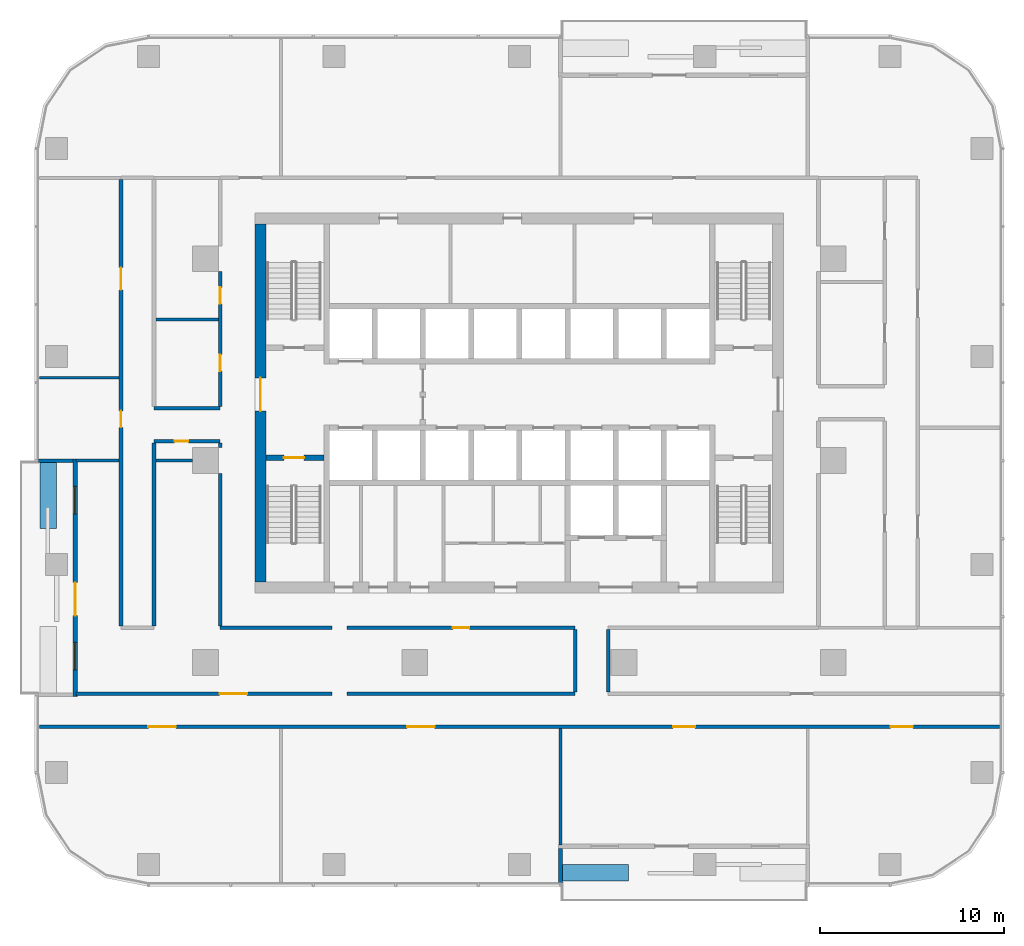
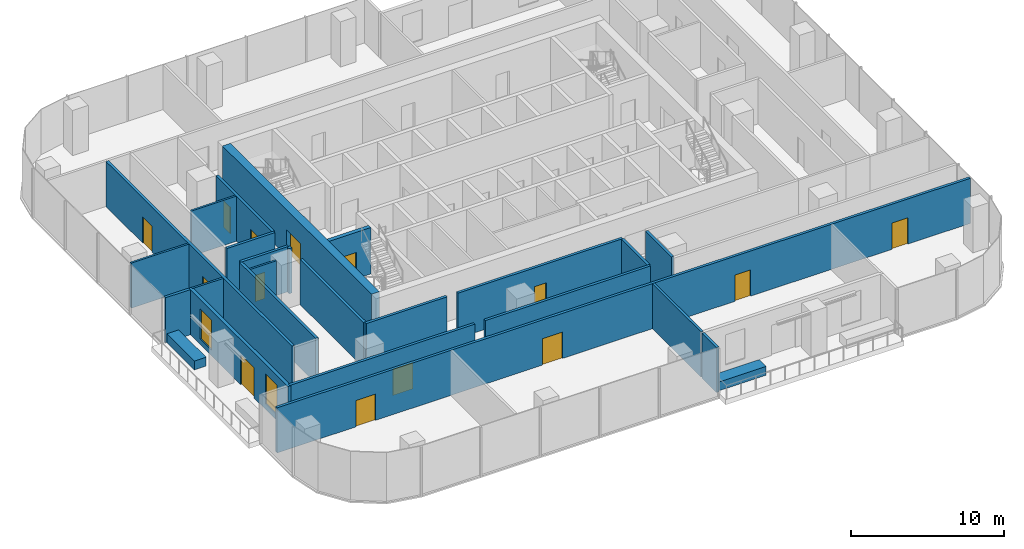
# One storey, part 7 of 14: 26 walls, 14 doors, 2 windows, 16 openings.
"""IFC4 building model written with IfcOpenShell, lengths in metres."""

from ifc_helpers import new_model, si_unit, direction, frame, frame_2d, origin, place, context, subcontext, project, spatial, rectangle, extrude, material, layer, layer_set, type_object, element, fill, save


model = new_model("IFC4")

# Units and contexts
model_context = context("Model", 3, precision=1e-05, world=origin(), true_north=direction((0.0, 1.0)))
body_context = subcontext(model_context, "Body", "Model", "MODEL_VIEW")
ifc_project = project(units=[si_unit("LENGTHUNIT", "METRE"), si_unit("AREAUNIT", "SQUARE_METRE"), si_unit("VOLUMEUNIT", "CUBIC_METRE"), si_unit("PLANEANGLEUNIT", "RADIAN"), si_unit("MASSUNIT", "GRAM", prefix="KILO")], contexts=[model_context])

# Site, building, storey
site_placement = place(None, origin())
site = spatial("IfcSite", under=ifc_project, at=site_placement, CompositionType="ELEMENT")
building_placement = place(site_placement, origin())
building = spatial("IfcBuilding", under=site, at=building_placement, Name="Mopane Tessera Tower", CompositionType="ELEMENT")
storey_placement = place(building_placement, frame((0.0, 0.0, 197.0)))
storey = spatial("IfcBuildingStorey", under=building, at=storey_placement, Name="L41", CompositionType="ELEMENT", Elevation=197.0)

# Wall, opening, door
ifc_material_1 = material(Name="Concrete C70/85", Category="concrete")
ifc_layer_1 = layer(ifc_material_1, 0.60009765625)
ifc_layer_set_1 = layer_set([ifc_layer_1], Name="Concrete C70/85")
wall_type_1 = type_object("IfcWallType", Name="Core shear wall 600 mm", PredefinedType="SHEAR", material=ifc_layer_set_1)
wall_1_placement = place(storey_placement, frame((-14.10009765625, -6.60009765625, 0.0), z_axis=(0.0, 0.0, 1.0), x_axis=(0.0, 1.0, 0.0)))
wall_1 = element("IfcWall", 1, at=wall_1_placement, inside=storey, type_object=wall_type_1, Name="L41 Core wall west", PredefinedType="SHEAR", context=body_context, shape_type="SweptSolid", body=[
    extrude(rectangle(XDim=19.5, YDim=0.60009765625, at=frame_2d((9.75, 0.0))), origin(), (0.0, 0.0, 1.0), 3.699951171875),
])
opening_1_placement = place(wall_1_placement, frame((9.300048828125, 0.0, 0.0)))
opening_1 = element("IfcOpeningElement", 2, at=opening_1_placement, cuts=wall_1, Name="Opening SD2", PredefinedType="OPENING", context=body_context, shape_type="SweptSolid", body=[
    extrude(rectangle(XDim=1.800048828125, YDim=2.10009765625, at=frame_2d((0.89990234375, 1.050048828125))), frame((0.0, 0.31201171875, 0.0), z_axis=(0.0, -1.0, 0.0), x_axis=(1.0, 0.0, 0.0)), (0.0, 0.0, 1.0), 0.6240234375),
])
ifc_material_2 = material(Name="Steel fire door", Category="steel")
door_type_1 = type_object("IfcDoorType", Name="Core entrance double door 1800 x 2100", OperationType="DOUBLE_DOOR_SINGLE_SWING", PredefinedType="DOOR", material=ifc_material_2)
door_1_placement = place(opening_1_placement, origin())
door_1 = element("IfcDoor", 3, at=door_1_placement, inside=storey, type_object=door_type_1, Name="L41 Core entrance door west", OperationType="DOUBLE_DOOR_SINGLE_SWING", OverallHeight=2.10009765625, OverallWidth=1.800048828125, PredefinedType="DOOR", context=body_context, shape_type="SweptSolid", body=[
    extrude(rectangle(XDim=1.800048828125, YDim=2.10009765625, at=frame_2d((0.89990234375, 1.050048828125))), frame((0.0, 0.02490234375, 0.0), z_axis=(0.0, -1.0, 0.0), x_axis=(1.0, 0.0, 0.0)), (0.0, 0.0, 1.0), 0.050048828125),
])
fill(opening_1, door_1)

# Wall
ifc_material_3 = material(Name="Gypsum board on staggered steel studs, double layer each face, acoustic mineral wool infill", Category="steel")
ifc_layer_2 = layer(ifc_material_3, 0.175048828125)
ifc_layer_set_2 = layer_set([ifc_layer_2], Name="Gypsum board on staggered steel studs, double layer each face, acoustic mineral wool infill")
wall_type_2 = type_object("IfcWallType", Name="Gypsum board acoustic partition 175, rated EI 60", PredefinedType="PARTITIONING", material=ifc_layer_set_2)
wall_2_placement = place(storey_placement, frame((2.2451171875, -20.949951171875, 0.0), z_axis=(0.0, 0.0, 1.0), x_axis=(0.0, 1.0, 0.0)))
element("IfcWall", 4, at=wall_2_placement, inside=storey, type_object=wall_type_2, Name="Partition L41:037", PredefinedType="PARTITIONING", context=body_context, shape_type="SweptSolid", body=[
    extrude(rectangle(XDim=6.349853515625, YDim=0.175048828125, at=frame_2d((3.1748046875, 0.0))), origin(), (0.0, 0.0, 1.0), 3.60009765625),
])

# Wall, openings, doors
ifc_material_4 = material(Name="Gypsum board on steel studs, two layers each face, mineral wool infill", Category="steel")
ifc_layer_3 = layer(ifc_material_4, 0.199951171875)
ifc_layer_set_3 = layer_set([ifc_layer_3], Name="Gypsum board on steel studs, two layers each face, mineral wool infill")
wall_type_3 = type_object("IfcWallType", Name="Gypsum board corridor wall 200, rated EI 60", PredefinedType="PARTITIONING", material=ifc_layer_set_3)
wall_3_placement = place(storey_placement, frame((-26.14990234375, -14.5, 0.0), z_axis=(0.0, 0.0, 1.0), x_axis=(1.0, 0.0, 0.0)))
wall_3 = element("IfcWall", 5, at=wall_3_placement, inside=storey, type_object=wall_type_3, Name="Partition L41:000", PredefinedType="PARTITIONING", context=body_context, shape_type="SweptSolid", body=[
    extrude(rectangle(XDim=52.2998046875, YDim=0.199951171875, at=frame_2d((26.14990234375, 0.0))), origin(), (0.0, 0.0, 1.0), 3.60009765625),
])
opening_2_placement = place(wall_3_placement, frame((46.3798828125, 0.0, 0.0)))
opening_2 = element("IfcOpeningElement", 6, at=opening_2_placement, cuts=wall_3, Name="Opening L41-04", PredefinedType="OPENING", context=body_context, shape_type="SweptSolid", body=[
    extrude(rectangle(XDim=1.199951171875, YDim=2.10009765625, at=frame_2d((0.60009765625, 1.050048828125))), frame((0.0, 0.112060546875, 0.0), z_axis=(0.0, -1.0, 0.0), x_axis=(1.0, 0.0, 0.0)), (0.0, 0.0, 1.0), 0.223876953125),
])
opening_3_placement = place(wall_3_placement, frame((5.9375, 0.0, 0.0)))
opening_3 = element("IfcOpeningElement", 7, at=opening_3_placement, cuts=wall_3, Name="Opening L41-12", PredefinedType="OPENING", context=body_context, shape_type="SweptSolid", body=[
    extrude(rectangle(XDim=1.5, YDim=2.10009765625, at=frame_2d((0.75, 1.050048828125))), frame((0.0, 0.112060546875, 0.0), z_axis=(0.0, -1.0, 0.0), x_axis=(1.0, 0.0, 0.0)), (0.0, 0.0, 1.0), 0.223876953125),
])
opening_4_placement = place(wall_3_placement, frame((20.034912109375, 0.0, 0.0)))
opening_4 = element("IfcOpeningElement", 8, at=opening_4_placement, cuts=wall_3, Name="Opening L41-16", PredefinedType="OPENING", context=body_context, shape_type="SweptSolid", body=[
    extrude(rectangle(XDim=1.5, YDim=2.10009765625, at=frame_2d((0.75, 1.050048828125))), frame((0.0, 0.112060546875, 0.0), z_axis=(0.0, -1.0, 0.0), x_axis=(1.0, 0.0, 0.0)), (0.0, 0.0, 1.0), 0.223876953125),
])
opening_5_placement = place(wall_3_placement, frame((34.527587890625, 0.0, 0.0)))
opening_5 = element("IfcOpeningElement", 9, at=opening_5_placement, cuts=wall_3, Name="Opening L41-19", PredefinedType="OPENING", context=body_context, shape_type="SweptSolid", body=[
    extrude(rectangle(XDim=1.199951171875, YDim=2.10009765625, at=frame_2d((0.60009765625, 1.050048828125))), frame((0.0, 0.112060546875, 0.0), z_axis=(0.0, -1.0, 0.0), x_axis=(1.0, 0.0, 0.0)), (0.0, 0.0, 1.0), 0.223876953125),
])
ifc_material_5 = material(Name="Timber veneered steel-framed fire door", Category="steel")
door_type_2 = type_object("IfcDoorType", Name="Fire door FD60 1200 x 2100", OperationType="SINGLE_SWING_LEFT", PredefinedType="DOOR", material=ifc_material_5)
door_2_placement = place(opening_2_placement, origin())
door_2 = element("IfcDoor", 10, at=door_2_placement, inside=storey, type_object=door_type_2, Name="Door L41-04", ObjectType="D15A", OperationType="SINGLE_SWING_RIGHT", OverallHeight=2.10009765625, OverallWidth=1.199951171875, PredefinedType="DOOR", context=body_context, shape_type="SweptSolid", body=[
    extrude(rectangle(XDim=1.199951171875, YDim=2.10009765625, at=frame_2d((0.60009765625, 1.050048828125))), frame((0.0, 0.02490234375, 0.0), z_axis=(0.0, -1.0, 0.0), x_axis=(1.0, 0.0, 0.0)), (0.0, 0.0, 1.0), 0.050048828125),
])
fill(opening_2, door_2)
door_3_placement = place(opening_5_placement, origin())
door_3 = element("IfcDoor", 11, at=door_3_placement, inside=storey, type_object=door_type_2, Name="Door L41-19", ObjectType="D15A", OperationType="SINGLE_SWING_LEFT", OverallHeight=2.10009765625, OverallWidth=1.199951171875, PredefinedType="DOOR", context=body_context, shape_type="SweptSolid", body=[
    extrude(rectangle(XDim=1.199951171875, YDim=2.10009765625, at=frame_2d((0.60009765625, 1.050048828125))), frame((0.0, 0.02490234375, 0.0), z_axis=(0.0, -1.0, 0.0), x_axis=(1.0, 0.0, 0.0)), (0.0, 0.0, 1.0), 0.050048828125),
])
fill(opening_5, door_3)
ifc_material_6 = material(Name="Timber veneered steel-framed fire door", Category="steel")
door_type_3 = type_object("IfcDoorType", Name="Fire door pair FD60 1500 x 2100", OperationType="DOUBLE_DOOR_SINGLE_SWING", PredefinedType="DOOR", material=ifc_material_6)
door_4_placement = place(opening_3_placement, origin())
door_4 = element("IfcDoor", 12, at=door_4_placement, inside=storey, type_object=door_type_3, Name="Door L41-12", ObjectType="D17A", OperationType="DOUBLE_DOOR_SINGLE_SWING", OverallHeight=2.10009765625, OverallWidth=1.5, PredefinedType="DOOR", context=body_context, shape_type="SweptSolid", body=[
    extrude(rectangle(XDim=1.5, YDim=2.10009765625, at=frame_2d((0.75, 1.050048828125))), frame((0.0, 0.02490234375, 0.0), z_axis=(0.0, -1.0, 0.0), x_axis=(1.0, 0.0, 0.0)), (0.0, 0.0, 1.0), 0.050048828125),
])
fill(opening_3, door_4)
door_5_placement = place(opening_4_placement, origin())
door_5 = element("IfcDoor", 13, at=door_5_placement, inside=storey, type_object=door_type_3, Name="Door L41-16", ObjectType="D17A", OperationType="DOUBLE_DOOR_SINGLE_SWING", OverallHeight=2.10009765625, OverallWidth=1.5, PredefinedType="DOOR", context=body_context, shape_type="SweptSolid", body=[
    extrude(rectangle(XDim=1.5, YDim=2.10009765625, at=frame_2d((0.75, 1.050048828125))), frame((0.0, 0.02490234375, 0.0), z_axis=(0.0, -1.0, 0.0), x_axis=(1.0, 0.0, 0.0)), (0.0, 0.0, 1.0), 0.050048828125),
])
fill(opening_4, door_5)

# Wall, opening, door
wall_4_placement = place(storey_placement, frame((-24.14990234375, -12.699951171875, 0.0), z_axis=(0.0, 0.0, 1.0), x_axis=(1.0, 0.0, 0.0)))
wall_4 = element("IfcWall", 14, at=wall_4_placement, inside=storey, type_object=wall_type_3, Name="Partition L41:001", PredefinedType="PARTITIONING", context=body_context, shape_type="SweptSolid", body=[
    extrude(rectangle(XDim=13.949951171875, YDim=0.199951171875, at=frame_2d((6.97509765625, 0.0))), origin(), (0.0, 0.0, 1.0), 3.60009765625),
])
opening_6_placement = place(wall_4_placement, frame((7.824951171875, 0.0, 0.0)))
opening_6 = element("IfcOpeningElement", 15, at=opening_6_placement, cuts=wall_4, Name="Opening L41-18", PredefinedType="OPENING", context=body_context, shape_type="SweptSolid", body=[
    extrude(rectangle(XDim=1.5, YDim=2.10009765625, at=frame_2d((0.75, 1.050048828125))), frame((0.0, 0.112060546875, 0.0), z_axis=(0.0, -1.0, 0.0), x_axis=(1.0, 0.0, 0.0)), (0.0, 0.0, 1.0), 0.223876953125),
])
door_6_placement = place(opening_6_placement, origin())
door_6 = element("IfcDoor", 16, at=door_6_placement, inside=storey, type_object=door_type_3, Name="Door L41-18", ObjectType="D17A", OperationType="DOUBLE_DOOR_SINGLE_SWING", OverallHeight=2.10009765625, OverallWidth=1.5, PredefinedType="DOOR", context=body_context, shape_type="SweptSolid", body=[
    extrude(rectangle(XDim=1.5, YDim=2.10009765625, at=frame_2d((0.75, 1.050048828125))), frame((0.0, 0.02490234375, 0.0), z_axis=(0.0, -1.0, 0.0), x_axis=(1.0, 0.0, 0.0)), (0.0, 0.0, 1.0), 0.050048828125),
])
fill(opening_6, door_6)

# Walls
wall_5_placement = place(storey_placement, frame((-9.385009765625, -12.699951171875, 0.0), z_axis=(0.0, 0.0, 1.0), x_axis=(1.0, 0.0, 0.0)))
element("IfcWall", 17, at=wall_5_placement, inside=storey, type_object=wall_type_3, Name="Partition L41:002", PredefinedType="PARTITIONING", context=body_context, shape_type="SweptSolid", body=[
    extrude(rectangle(XDim=12.425048828125, YDim=0.199951171875, at=frame_2d((6.21240234375, 0.0))), origin(), (0.0, 0.0, 1.0), 3.60009765625),
])
wall_6_placement = place(storey_placement, frame((-16.300048828125, -9.10009765625, 0.0), z_axis=(0.0, 0.0, 1.0), x_axis=(1.0, 0.0, 0.0)))
element("IfcWall", 18, at=wall_6_placement, inside=storey, type_object=wall_type_3, Name="Partition L41:007", PredefinedType="PARTITIONING", context=body_context, shape_type="SweptSolid", body=[
    extrude(rectangle(XDim=6.10009765625, YDim=0.199951171875, at=frame_2d((3.050048828125, 0.0))), origin(), (0.0, 0.0, 1.0), 3.60009765625),
])

# Wall, opening, door
wall_7_placement = place(storey_placement, frame((-9.385009765625, -9.10009765625, 0.0), z_axis=(0.0, 0.0, 1.0), x_axis=(1.0, 0.0, 0.0)))
wall_7 = element("IfcWall", 19, at=wall_7_placement, inside=storey, type_object=wall_type_3, Name="Partition L41:008", PredefinedType="PARTITIONING", context=body_context, shape_type="SweptSolid", body=[
    extrude(rectangle(XDim=12.425048828125, YDim=0.199951171875, at=frame_2d((6.21240234375, 0.0))), origin(), (0.0, 0.0, 1.0), 3.60009765625),
])
opening_7_placement = place(wall_7_placement, frame((5.762451171875, 0.0, 0.0)))
opening_7 = element("IfcOpeningElement", 20, at=opening_7_placement, cuts=wall_7, Name="Opening L41-11", PredefinedType="OPENING", context=body_context, shape_type="SweptSolid", body=[
    extrude(rectangle(XDim=0.89990234375, YDim=2.10009765625, at=frame_2d((0.449951171875, 1.050048828125))), frame((0.0, 0.112060546875, 0.0), z_axis=(0.0, -1.0, 0.0), x_axis=(1.0, 0.0, 0.0)), (0.0, 0.0, 1.0), 0.223876953125),
])
ifc_material_7 = material(Name="Timber veneered steel-framed fire door", Category="steel")
door_type_4 = type_object("IfcDoorType", Name="Fire door FD60 900 x 2100", OperationType="SINGLE_SWING_LEFT", PredefinedType="DOOR", material=ifc_material_7)
door_7_placement = place(opening_7_placement, origin())
door_7 = element("IfcDoor", 21, at=door_7_placement, inside=storey, type_object=door_type_4, Name="Door L41-11", ObjectType="D10A", OperationType="SINGLE_SWING_LEFT", OverallHeight=2.10009765625, OverallWidth=0.89990234375, PredefinedType="DOOR", context=body_context, shape_type="SweptSolid", body=[
    extrude(rectangle(XDim=0.89990234375, YDim=2.10009765625, at=frame_2d((0.449951171875, 1.050048828125))), frame((0.0, 0.02490234375, 0.0), z_axis=(0.0, -1.0, 0.0), x_axis=(1.0, 0.0, 0.0)), (0.0, 0.0, 1.0), 0.050048828125),
])
fill(opening_7, door_7)

wall_8_placement = place(storey_placement, frame((-19.89990234375, 1.050048828125, 0.0), z_axis=(0.0, 0.0, 1.0), x_axis=(1.0, 0.0, 0.0)))
wall_8 = element("IfcWall", 22, at=wall_8_placement, inside=storey, type_object=wall_type_3, Name="Partition L41:013", PredefinedType="PARTITIONING", context=body_context, shape_type="SweptSolid", body=[
    extrude(rectangle(XDim=3.599853515625, YDim=0.199951171875, at=frame_2d((1.7998046875, 0.0))), origin(), (0.0, 0.0, 1.0), 3.60009765625),
])
opening_8_placement = place(wall_8_placement, frame((1.125, 0.0, 0.0)))
opening_8 = element("IfcOpeningElement", 23, at=opening_8_placement, cuts=wall_8, Name="Opening L41-05", PredefinedType="OPENING", context=body_context, shape_type="SweptSolid", body=[
    extrude(rectangle(XDim=0.75, YDim=2.10009765625, at=frame_2d((0.375, 1.050048828125))), frame((0.0, 0.112060546875, 0.0), z_axis=(0.0, -1.0, 0.0), x_axis=(1.0, 0.0, 0.0)), (0.0, 0.0, 1.0), 0.223876953125),
])
ifc_material_8 = material(Name="Timber veneered steel-framed fire door", Category="steel")
door_type_5 = type_object("IfcDoorType", Name="Fire door FD60 750 x 2100", OperationType="SINGLE_SWING_LEFT", PredefinedType="DOOR", material=ifc_material_8)
door_8_placement = place(opening_8_placement, origin())
door_8 = element("IfcDoor", 24, at=door_8_placement, inside=storey, type_object=door_type_5, Name="Door L41-05", ObjectType="D08A", OperationType="SINGLE_SWING_LEFT", OverallHeight=2.10009765625, OverallWidth=0.75, PredefinedType="DOOR", context=body_context, shape_type="SweptSolid", body=[
    extrude(rectangle(XDim=0.75, YDim=2.10009765625, at=frame_2d((0.375, 1.050048828125))), frame((0.0, 0.02490234375, 0.0), z_axis=(0.0, -1.0, 0.0), x_axis=(1.0, 0.0, 0.0)), (0.0, 0.0, 1.0), 0.050048828125),
])
fill(opening_8, door_8)

# Wall
wall_9_placement = place(storey_placement, frame((-19.89990234375, 2.85009765625, 0.0), z_axis=(0.0, 0.0, 1.0), x_axis=(1.0, 0.0, 0.0)))
element("IfcWall", 25, at=wall_9_placement, inside=storey, type_object=wall_type_3, Name="Partition L41:016", PredefinedType="PARTITIONING", context=body_context, shape_type="SweptSolid", body=[
    extrude(rectangle(XDim=3.599853515625, YDim=0.199951171875, at=frame_2d((1.7998046875, 0.0))), origin(), (0.0, 0.0, 1.0), 3.60009765625),
])

# Wall, openings, doors
wall_10_placement = place(storey_placement, frame((-21.699951171875, -9.0, 0.0), z_axis=(0.0, 0.0, 1.0), x_axis=(0.0, 1.0, 0.0)))
wall_10 = element("IfcWall", 26, at=wall_10_placement, inside=storey, type_object=wall_type_3, Name="Partition L41:027", PredefinedType="PARTITIONING", context=body_context, shape_type="SweptSolid", body=[
    extrude(rectangle(XDim=24.300048828125, YDim=0.199951171875, at=frame_2d((12.14990234375, 0.0))), origin(), (0.0, 0.0, 1.0), 3.60009765625),
])
opening_9_placement = place(wall_10_placement, frame((18.304931640625, 0.0, 0.0)))
opening_9 = element("IfcOpeningElement", 27, at=opening_9_placement, cuts=wall_10, Name="Opening L41-01", PredefinedType="OPENING", context=body_context, shape_type="SweptSolid", body=[
    extrude(rectangle(XDim=1.199951171875, YDim=2.10009765625, at=frame_2d((0.60009765625, 1.050048828125))), frame((0.0, 0.112060546875, 0.0), z_axis=(0.0, -1.0, 0.0), x_axis=(1.0, 0.0, 0.0)), (0.0, 0.0, 1.0), 0.223876953125),
])
opening_10_placement = place(wall_10_placement, frame((10.804931640625, 0.0, 0.0)))
opening_10 = element("IfcOpeningElement", 28, at=opening_10_placement, cuts=wall_10, Name="Opening L41-09", PredefinedType="OPENING", context=body_context, shape_type="SweptSolid", body=[
    extrude(rectangle(XDim=0.89990234375, YDim=2.10009765625, at=frame_2d((0.449951171875, 1.050048828125))), frame((0.0, 0.112060546875, 0.0), z_axis=(0.0, -1.0, 0.0), x_axis=(1.0, 0.0, 0.0)), (0.0, 0.0, 1.0), 0.223876953125),
])
door_9_placement = place(opening_9_placement, origin())
door_9 = element("IfcDoor", 29, at=door_9_placement, inside=storey, type_object=door_type_2, Name="Door L41-01", ObjectType="D15A", OperationType="SINGLE_SWING_RIGHT", OverallHeight=2.10009765625, OverallWidth=1.199951171875, PredefinedType="DOOR", context=body_context, shape_type="SweptSolid", body=[
    extrude(rectangle(XDim=1.199951171875, YDim=2.10009765625, at=frame_2d((0.60009765625, 1.050048828125))), frame((0.0, 0.02490234375, 0.0), z_axis=(0.0, -1.0, 0.0), x_axis=(1.0, 0.0, 0.0)), (0.0, 0.0, 1.0), 0.050048828125),
])
fill(opening_9, door_9)
door_10_placement = place(opening_10_placement, origin())
door_10 = element("IfcDoor", 30, at=door_10_placement, inside=storey, type_object=door_type_4, Name="Door L41-09", ObjectType="D10A", OperationType="SINGLE_SWING_RIGHT", OverallHeight=2.10009765625, OverallWidth=0.89990234375, PredefinedType="DOOR", context=body_context, shape_type="SweptSolid", body=[
    extrude(rectangle(XDim=0.89990234375, YDim=2.10009765625, at=frame_2d((0.449951171875, 1.050048828125))), frame((0.0, 0.02490234375, 0.0), z_axis=(0.0, -1.0, 0.0), x_axis=(1.0, 0.0, 0.0)), (0.0, 0.0, 1.0), 0.050048828125),
])
fill(opening_10, door_10)

# Walls
wall_11_placement = place(storey_placement, frame((-19.89990234375, -9.0, 0.0), z_axis=(0.0, 0.0, 1.0), x_axis=(0.0, 1.0, 0.0)))
element("IfcWall", 31, at=wall_11_placement, inside=storey, type_object=wall_type_3, Name="Partition L41:028", PredefinedType="PARTITIONING", context=body_context, shape_type="SweptSolid", body=[
    extrude(rectangle(XDim=9.949951171875, YDim=0.199951171875, at=frame_2d((4.97509765625, 0.0))), origin(), (0.0, 0.0, 1.0), 3.60009765625),
])
wall_12_placement = place(storey_placement, frame((-16.300048828125, -9.0, 0.0), z_axis=(0.0, 0.0, 1.0), x_axis=(0.0, 1.0, 0.0)))
element("IfcWall", 32, at=wall_12_placement, inside=storey, type_object=wall_type_3, Name="Partition L41:030", PredefinedType="PARTITIONING", context=body_context, shape_type="SweptSolid", body=[
    extrude(rectangle(XDim=8.300048828125, YDim=0.199951171875, at=frame_2d((4.14990234375, 0.0))), origin(), (0.0, 0.0, 1.0), 3.60009765625),
])
wall_13_placement = place(storey_placement, frame((-16.300048828125, 0.699951171875, 0.0), z_axis=(0.0, 0.0, 1.0), x_axis=(0.0, 1.0, 0.0)))
element("IfcWall", 33, at=wall_13_placement, inside=storey, type_object=wall_type_3, Name="Partition L41:031", PredefinedType="PARTITIONING", context=body_context, shape_type="SweptSolid", body=[
    extrude(rectangle(XDim=0.25, YDim=0.199951171875, at=frame_2d((0.125, 0.0))), origin(), (0.0, 0.0, 1.0), 3.60009765625),
])

# Wall, openings, doors
wall_14_placement = place(storey_placement, frame((-16.300048828125, 2.949951171875, 0.0), z_axis=(0.0, 0.0, 1.0), x_axis=(0.0, 1.0, 0.0)))
wall_14 = element("IfcWall", 34, at=wall_14_placement, inside=storey, type_object=wall_type_3, Name="Partition L41:032", PredefinedType="PARTITIONING", context=body_context, shape_type="SweptSolid", body=[
    extrude(rectangle(XDim=7.35009765625, YDim=0.199951171875, at=frame_2d((3.675048828125, 0.0))), origin(), (0.0, 0.0, 1.0), 3.60009765625),
])
opening_11_placement = place(wall_14_placement, frame((5.592529296875, 0.0, 0.0)))
opening_11 = element("IfcOpeningElement", 35, at=opening_11_placement, cuts=wall_14, Name="Opening L41-02", PredefinedType="OPENING", context=body_context, shape_type="SweptSolid", body=[
    extrude(rectangle(XDim=0.89990234375, YDim=2.10009765625, at=frame_2d((0.449951171875, 1.050048828125))), frame((0.0, 0.112060546875, 0.0), z_axis=(0.0, -1.0, 0.0), x_axis=(1.0, 0.0, 0.0)), (0.0, 0.0, 1.0), 0.223876953125),
])
opening_12_placement = place(wall_14_placement, frame((1.91748046875, 0.0, 0.0)))
opening_12 = element("IfcOpeningElement", 36, at=opening_12_placement, cuts=wall_14, Name="Opening L41-10", PredefinedType="OPENING", context=body_context, shape_type="SweptSolid", body=[
    extrude(rectangle(XDim=0.89990234375, YDim=2.10009765625, at=frame_2d((0.449951171875, 1.050048828125))), frame((0.0, 0.112060546875, 0.0), z_axis=(0.0, -1.0, 0.0), x_axis=(1.0, 0.0, 0.0)), (0.0, 0.0, 1.0), 0.223876953125),
])
door_11_placement = place(opening_11_placement, origin())
door_11 = element("IfcDoor", 37, at=door_11_placement, inside=storey, type_object=door_type_4, Name="Door L41-02", ObjectType="D10A", OperationType="SINGLE_SWING_LEFT", OverallHeight=2.10009765625, OverallWidth=0.89990234375, PredefinedType="DOOR", context=body_context, shape_type="SweptSolid", body=[
    extrude(rectangle(XDim=0.89990234375, YDim=2.10009765625, at=frame_2d((0.449951171875, 1.050048828125))), frame((0.0, 0.02490234375, 0.0), z_axis=(0.0, -1.0, 0.0), x_axis=(1.0, 0.0, 0.0)), (0.0, 0.0, 1.0), 0.050048828125),
])
fill(opening_11, door_11)
door_12_placement = place(opening_12_placement, origin())
door_12 = element("IfcDoor", 38, at=door_12_placement, inside=storey, type_object=door_type_4, Name="Door L41-10", ObjectType="D10A", OperationType="SINGLE_SWING_LEFT", OverallHeight=2.10009765625, OverallWidth=0.89990234375, PredefinedType="DOOR", context=body_context, shape_type="SweptSolid", body=[
    extrude(rectangle(XDim=0.89990234375, YDim=2.10009765625, at=frame_2d((0.449951171875, 1.050048828125))), frame((0.0, 0.02490234375, 0.0), z_axis=(0.0, -1.0, 0.0), x_axis=(1.0, 0.0, 0.0)), (0.0, 0.0, 1.0), 0.050048828125),
])
fill(opening_12, door_12)

# Walls
for number, where, z_axis, x_axis, name in (
    (39, (3.0400390625, -12.60009765625, 0.0), (0.0, 0.0, 1.0), (0.0, 1.0, 0.0), "Partition L41:038"),
    (40, (4.840087890625, -12.60009765625, 0.0), (0.0, 0.0, 1.0), (0.0, 1.0, 0.0), "Partition L41:039"),
):
    element("IfcWall", number, at=place(storey_placement, frame(where, z_axis=z_axis, x_axis=x_axis)), inside=storey, type_object=wall_type_3, Name=name, PredefinedType="PARTITIONING", context=body_context, shape_type="SweptSolid", body=[
        extrude(rectangle(XDim=3.400146484375, YDim=0.199951171875, at=frame_2d((1.7001953125, 0.0))), origin(), (0.0, 0.0, 1.0), 3.60009765625),
    ])
ifc_material_9 = material(Name="Gypsum board on steel studs, mineral wool infill", Category="steel")
ifc_layer_4 = layer(ifc_material_9, 0.14990234375)
ifc_layer_set_4 = layer_set([ifc_layer_4], Name="Gypsum board on steel studs, mineral wool infill")
wall_type_4 = type_object("IfcWallType", Name="Gypsum board partition 150, rated EI 60", PredefinedType="PARTITIONING", material=ifc_layer_set_4)
wall_15_placement = place(storey_placement, frame((-24.14990234375, 0.0, 0.0), z_axis=(0.0, 0.0, 1.0), x_axis=(1.0, 0.0, 0.0)))
element("IfcWall", 41, at=wall_15_placement, inside=storey, type_object=wall_type_4, Name="Partition L41:011", PredefinedType="PARTITIONING", context=body_context, shape_type="SweptSolid", body=[
    extrude(rectangle(XDim=2.349853515625, YDim=0.14990234375, at=frame_2d((1.1748046875, 0.0))), origin(), (0.0, 0.0, 1.0), 3.60009765625),
])
wall_16_placement = place(storey_placement, frame((-19.800048828125, 0.0, 0.0), z_axis=(0.0, 0.0, 1.0), x_axis=(1.0, 0.0, 0.0)))
element("IfcWall", 42, at=wall_16_placement, inside=storey, type_object=wall_type_4, Name="Partition L41:012", PredefinedType="PARTITIONING", context=body_context, shape_type="SweptSolid", body=[
    extrude(rectangle(XDim=2.0, YDim=0.14990234375, at=frame_2d((1.0, 0.0))), origin(), (0.0, 0.0, 1.0), 3.60009765625),
])
wall_17_placement = place(storey_placement, frame((-26.14990234375, 4.510009765625, 0.0), z_axis=(0.0, 0.0, 1.0), x_axis=(1.0, 0.0, 0.0)))
element("IfcWall", 43, at=wall_17_placement, inside=storey, type_object=wall_type_4, Name="Partition L41:018", PredefinedType="PARTITIONING", context=body_context, shape_type="SweptSolid", body=[
    extrude(rectangle(XDim=4.349853515625, YDim=0.14990234375, at=frame_2d((2.1748046875, 0.0))), origin(), (0.0, 0.0, 1.0), 3.60009765625),
])
wall_18_placement = place(storey_placement, frame((-19.800048828125, 7.68505859375, 0.0), z_axis=(0.0, 0.0, 1.0), x_axis=(1.0, 0.0, 0.0)))
element("IfcWall", 44, at=wall_18_placement, inside=storey, type_object=wall_type_4, Name="Partition L41:019", PredefinedType="PARTITIONING", context=body_context, shape_type="SweptSolid", body=[
    extrude(rectangle(XDim=3.400146484375, YDim=0.14990234375, at=frame_2d((1.7001953125, 0.0))), origin(), (0.0, 0.0, 1.0), 3.60009765625),
])

# Wall, opening, door
ifc_material_10 = material(Name="Concrete C50/60", Category="concrete")
ifc_layer_5 = layer(ifc_material_10, 0.300048828125)
ifc_layer_set_5 = layer_set([ifc_layer_5], Name="Concrete C50/60")
wall_type_5 = type_object("IfcWallType", Name="Lift and stair shaft wall 300 mm", PredefinedType="SOLIDWALL", material=ifc_layer_set_5)
wall_19_placement = place(storey_placement, frame((-13.800048828125, 0.14990234375, 0.0), z_axis=(0.0, 0.0, 1.0), x_axis=(1.0, 0.0, 0.0)))
wall_19 = element("IfcWall", 45, at=wall_19_placement, inside=storey, type_object=wall_type_5, Name="L41 Stair enclosure wall", PredefinedType="SOLIDWALL", context=body_context, shape_type="SweptSolid", body=[
    extrude(rectangle(XDim=3.150146484375, YDim=0.300048828125, at=frame_2d((1.5751953125, 0.0))), origin(), (0.0, 0.0, 1.0), 3.699951171875),
])
opening_13_placement = place(wall_19_placement, frame((0.97509765625, 0.0, 0.0)))
opening_13 = element("IfcOpeningElement", 46, at=opening_13_placement, cuts=wall_19, Name="Opening SD1", PredefinedType="OPENING", context=body_context, shape_type="SweptSolid", body=[
    extrude(rectangle(XDim=1.10009765625, YDim=2.10009765625, at=frame_2d((0.550048828125, 1.050048828125))), frame((0.0, 0.162109375, 0.0), z_axis=(0.0, -1.0, 0.0), x_axis=(1.0, 0.0, 0.0)), (0.0, 0.0, 1.0), 0.323974609375),
])
ifc_material_11 = material(Name="Steel fire door", Category="steel")
door_type_6 = type_object("IfcDoorType", Name="Stair fire door 1100 x 2100", OperationType="SINGLE_SWING_LEFT", PredefinedType="DOOR", material=ifc_material_11)
door_13_placement = place(opening_13_placement, origin())
door_13 = element("IfcDoor", 47, at=door_13_placement, inside=storey, type_object=door_type_6, Name="L41 Stair door ST1", OperationType="SINGLE_SWING_LEFT", OverallHeight=2.10009765625, OverallWidth=1.10009765625, PredefinedType="DOOR", context=body_context, shape_type="SweptSolid", body=[
    extrude(rectangle(XDim=1.10009765625, YDim=2.10009765625, at=frame_2d((0.550048828125, 1.050048828125))), frame((0.0, 0.02490234375, 0.0), z_axis=(0.0, -1.0, 0.0), x_axis=(1.0, 0.0, 0.0)), (0.0, 0.0, 1.0), 0.050048828125),
])
fill(opening_13, door_13)

# Walls
ifc_material_12 = material(Name="Reinforced concrete C32/40 with waterproofing", Category="concrete")
ifc_layer_6 = layer(ifc_material_12, 0.89990234375)
ifc_layer_set_6 = layer_set([ifc_layer_6], Name="Reinforced concrete C32/40 with waterproofing")
wall_type_6 = type_object("IfcWallType", Name="Planter trough 3600 x 900", PredefinedType="STANDARD", material=ifc_layer_set_6)
for number, where, z_axis, x_axis, name in (
    (48, (-25.64990234375, -0.10009765625, 0.0), (0.0, 0.0, 1.0), (0.0, -1.0, 0.0), "e:nw:L41:N1:pl0"),
    (49, (2.344482421875, -22.449951171875, 0.0), (0.0, 0.0, 1.0), (1.0, 0.0, 0.0), "e:nw:L41:N2:pl0"),
):
    element("IfcWall", number, at=place(storey_placement, frame(where, z_axis=z_axis, x_axis=x_axis)), inside=storey, type_object=wall_type_6, Name=name, PredefinedType="STANDARD", context=body_context, shape_type="SweptSolid", body=[
        extrude(rectangle(XDim=3.599853515625, YDim=0.89990234375, at=frame_2d((1.7998046875, 0.0))), origin(), (0.0, 0.0, 1.0), 0.699951171875),
    ])
ifc_material_13 = material(Name="Blockwork with glazed tile facing", Category="masonry")
ifc_layer_7 = layer(ifc_material_13, 0.199951171875)
ifc_layer_set_7 = layer_set([ifc_layer_7], Name="Blockwork with glazed tile facing")
wall_type_7 = type_object("IfcWallType", Name="Terrace cheek wall 200", PredefinedType="STANDARD", material=ifc_layer_set_7)
for number, where, z_axis, x_axis, name in (
    (50, (-26.199951171875, 0.0, 0.0), (0.0, 0.0, 1.0), (1.0, 0.0, 0.0), "e:nw:L41:N1:cheeka"),
    (51, (2.244384765625, -23.0, 0.0), (0.0, 0.0, 1.0), (0.0, 1.0, 0.0), "e:nw:L41:N2:cheeka"),
):
    element("IfcWall", number, at=place(storey_placement, frame(where, z_axis=z_axis, x_axis=x_axis)), inside=storey, type_object=wall_type_7, Name=name, PredefinedType="STANDARD", context=body_context, shape_type="SweptSolid", body=[
        extrude(rectangle(XDim=1.875, YDim=0.199951171875, at=frame_2d((0.9375, 0.0))), origin(), (0.0, 0.0, 1.0), 3.60009765625),
    ])

# Wall, openings, windows, door
ifc_material_14 = material(Name="Blockwork with turquoise glazed tile facing", Category="masonry")
ifc_layer_8 = layer(ifc_material_14, 0.25)
ifc_layer_set_8 = layer_set([ifc_layer_8], Name="Blockwork with turquoise glazed tile facing")
wall_type_8 = type_object("IfcWallType", Name="Tile-clad external wall 250, turquoise", PredefinedType="STANDARD", material=ifc_layer_set_8)
wall_20_placement = place(storey_placement, frame((-24.199951171875, 0.10009765625, 0.0), z_axis=(0.0, 0.0, 1.0), x_axis=(0.0, -1.0, 0.0)))
wall_20 = element("IfcWall", 52, at=wall_20_placement, inside=storey, type_object=wall_type_8, Name="e:nw:L41:N1:back", PredefinedType="STANDARD", context=body_context, shape_type="SweptSolid", body=[
    extrude(rectangle(XDim=12.9501953125, YDim=0.25, at=frame_2d((6.47509765625, 0.0))), origin(), (0.0, 0.0, 1.0), 3.60009765625),
])
opening_14_placement = place(wall_20_placement, frame((1.5, 0.0, 0.449951171875)))
opening_14 = element("IfcOpeningElement", 53, at=opening_14_placement, cuts=wall_20, Name="Opening NW411A", PredefinedType="OPENING", context=body_context, shape_type="SweptSolid", body=[
    extrude(rectangle(XDim=1.5, YDim=2.39990234375, at=frame_2d((0.75, 1.199951171875))), frame((0.0, 0.136962890625, 0.0), z_axis=(0.0, -1.0, 0.0), x_axis=(1.0, 0.0, 0.0)), (0.0, 0.0, 1.0), 0.27392578125),
])
opening_15_placement = place(wall_20_placement, frame((6.75, 0.0, 0.0)))
opening_15 = element("IfcOpeningElement", 54, at=opening_15_placement, cuts=wall_20, Name="Opening ND411", PredefinedType="OPENING", context=body_context, shape_type="SweptSolid", body=[
    extrude(rectangle(XDim=1.800048828125, YDim=2.39990234375, at=frame_2d((0.89990234375, 1.199951171875))), frame((0.0, 0.136962890625, 0.0), z_axis=(0.0, -1.0, 0.0), x_axis=(1.0, 0.0, 0.0)), (0.0, 0.0, 1.0), 0.27392578125),
])
opening_16_placement = place(wall_20_placement, frame((10.0, 0.0, 0.449951171875)))
opening_16 = element("IfcOpeningElement", 55, at=opening_16_placement, cuts=wall_20, Name="Opening NW411B", PredefinedType="OPENING", context=body_context, shape_type="SweptSolid", body=[
    extrude(rectangle(XDim=1.5, YDim=2.39990234375, at=frame_2d((0.75, 1.199951171875))), frame((0.0, 0.136962890625, 0.0), z_axis=(0.0, -1.0, 0.0), x_axis=(1.0, 0.0, 0.0)), (0.0, 0.0, 1.0), 0.27392578125),
])
ifc_material_15 = material(Name="Clear laminated glass", Category="glass")
window_type = type_object("IfcWindowType", Name="Fixed window 1500 x 2400", PartitioningType="SINGLE_PANEL", PredefinedType="WINDOW", material=ifc_material_15)
window_1_placement = place(opening_14_placement, origin())
window_1 = element("IfcWindow", 56, at=window_1_placement, inside=storey, type_object=window_type, Name="e:nw:L41:N1:win0", OverallHeight=2.39990234375, OverallWidth=1.5, PartitioningType="SINGLE_PANEL", PredefinedType="WINDOW", context=body_context, shape_type="SweptSolid", body=[
    extrude(rectangle(XDim=1.5, YDim=2.39990234375, at=frame_2d((0.75, 1.199951171875))), frame((0.0, 0.030029296875, 0.0), z_axis=(0.0, -1.0, 0.0), x_axis=(1.0, 0.0, 0.0)), (0.0, 0.0, 1.0), 0.06005859375),
])
fill(opening_14, window_1)
window_2_placement = place(opening_16_placement, origin())
window_2 = element("IfcWindow", 57, at=window_2_placement, inside=storey, type_object=window_type, Name="e:nw:L41:N1:win2", OverallHeight=2.39990234375, OverallWidth=1.5, PartitioningType="SINGLE_PANEL", PredefinedType="WINDOW", context=body_context, shape_type="SweptSolid", body=[
    extrude(rectangle(XDim=1.5, YDim=2.39990234375, at=frame_2d((0.75, 1.199951171875))), frame((0.0, 0.030029296875, 0.0), z_axis=(0.0, -1.0, 0.0), x_axis=(1.0, 0.0, 0.0)), (0.0, 0.0, 1.0), 0.06005859375),
])
fill(opening_16, window_2)
ifc_material_16 = material(Name="Aluminium and clear glass", Category="aluminium")
door_type_7 = type_object("IfcDoorType", Name="Terrace double door 1800 x 2400", OperationType="DOUBLE_DOOR_SINGLE_SWING", PredefinedType="DOOR", material=ifc_material_16)
door_14_placement = place(opening_15_placement, origin())
door_14 = element("IfcDoor", 58, at=door_14_placement, inside=storey, type_object=door_type_7, Name="e:nw:L41:N1:door", ObjectType="D1", OperationType="DOUBLE_DOOR_SINGLE_SWING", OverallHeight=2.39990234375, OverallWidth=1.800048828125, PredefinedType="DOOR", context=body_context, shape_type="SweptSolid", body=[
    extrude(rectangle(XDim=1.800048828125, YDim=2.39990234375, at=frame_2d((0.89990234375, 1.199951171875))), frame((0.0, 0.02490234375, 0.0), z_axis=(0.0, -1.0, 0.0), x_axis=(1.0, 0.0, 0.0)), (0.0, 0.0, 1.0), 0.050048828125),
])
fill(opening_15, door_14)

save(model, "model.ifc")
